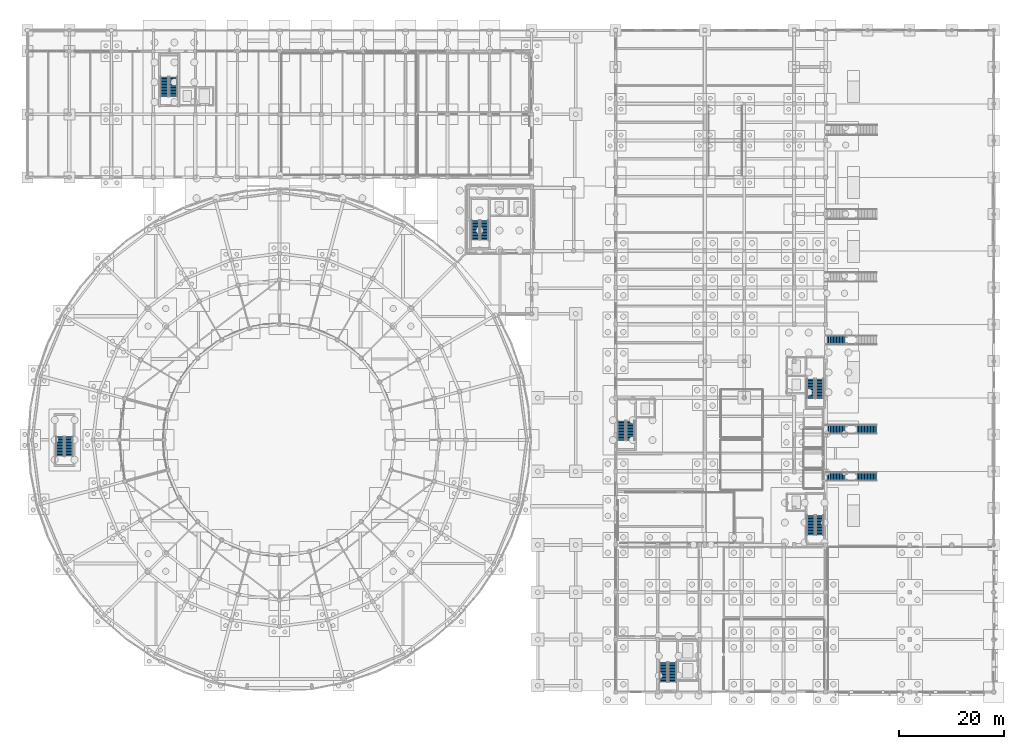
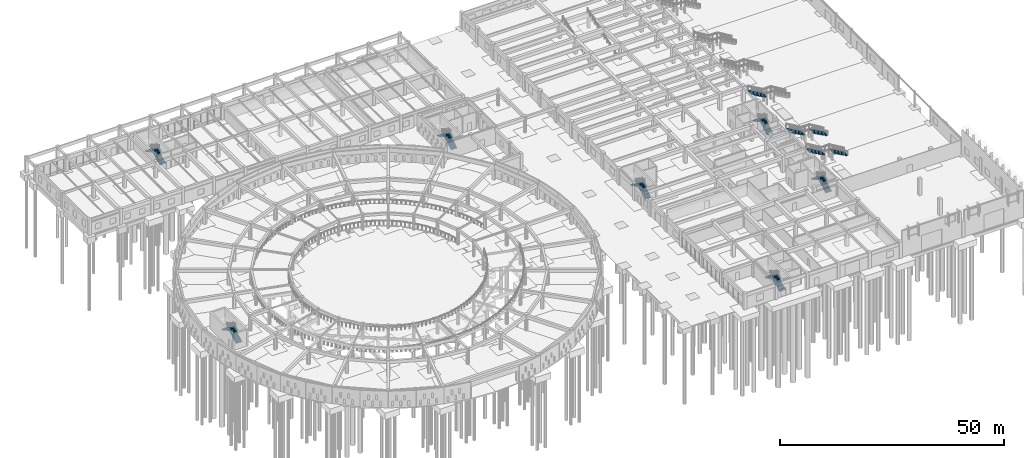
# One storey, part 64 of 84: 19 stair flights, 10 elements without a shape of their own.
"""IFC4 building model written with IfcOpenShell, lengths in metres."""

from ifc_helpers import new_model, si_unit, direction, frame, origin, place, context, subcontext, project, spatial, polyline, outline, extrude, material, type_object, element, aggregate, save


model = new_model("IFC4")

# Units and contexts
model_context = context("Model", 3, precision=1e-05, world=origin(), true_north=direction((0.0, 1.0)))
body_context = subcontext(model_context, "Body", "Model", "MODEL_VIEW")
ifc_project = project(units=[si_unit("LENGTHUNIT", "METRE"), si_unit("AREAUNIT", "SQUARE_METRE"), si_unit("VOLUMEUNIT", "CUBIC_METRE"), si_unit("PLANEANGLEUNIT", "RADIAN"), si_unit("MASSUNIT", "GRAM", prefix="KILO")], contexts=[model_context])

# Site, building, storey
site_placement = place(None, origin())
site = spatial("IfcSite", under=ifc_project, at=site_placement, CompositionType="ELEMENT")
building_placement = place(site_placement, origin())
building = spatial("IfcBuilding", under=site, at=building_placement, Name="Larkveld Mobility Hub", CompositionType="ELEMENT")
storey_placement = place(building_placement, origin())
storey = spatial("IfcBuildingStorey", under=building, at=storey_placement, Name="L00", CompositionType="ELEMENT", Elevation=0.0)

# Stair, stair flights
ifc_material_1 = material(Name="Concrete C40/50", Category="concrete")
stair_type_1 = type_object("IfcStairType", Name="ST-HT-01", PredefinedType="HALF_TURN_STAIR", material=ifc_material_1)
stair_1_placement = place(storey_placement, origin())
stair_1 = element("IfcStair", 1, at=stair_1_placement, inside=storey, type_object=stair_type_1, Name="L00 Protected Escape Stair ST1", PredefinedType="HALF_TURN_STAIR")
stair_flight_type_1 = type_object("IfcStairFlightType", Name="SF-HT-01", PredefinedType="STRAIGHT", material=ifc_material_1)
stair_flight_1_placement = place(storey_placement, frame((150.875, 29.89990234375, 0.0), z_axis=(0.0, 0.0, 1.0), x_axis=(0.0, 1.0, 0.0)))
stair_flight_1 = element("IfcStairFlight", 2, at=stair_flight_1_placement, type_object=stair_flight_type_1, Name="ST1 flight 1", NumberOfRisers=14, NumberOfTreads=13, PredefinedType="STRAIGHT", RiserHeight=0.160714286, TreadLength=0.285, context=body_context, shape_type="SweptSolid", body=[
    extrude(outline(polyline([(0.0, 0.0), (0.0, 0.16064453125), (0.284912109375, 0.16064453125), (0.284912109375, 0.321533203125), (0.570068359375, 0.321533203125), (0.570068359375, 0.482177734375), (0.85498046875, 0.482177734375), (0.85498046875, 0.642822265625), (1.139892578125, 0.642822265625), (1.139892578125, 0.803466796875), (1.425048828125, 0.803466796875), (1.425048828125, 0.96435546875), (1.7099609375, 0.96435546875), (1.7099609375, 1.125), (1.9951171875, 1.125), (1.9951171875, 1.28564453125), (2.280029296875, 1.28564453125), (2.280029296875, 1.446533203125), (2.56494140625, 1.446533203125), (2.56494140625, 1.607177734375), (2.85009765625, 1.607177734375), (2.85009765625, 1.767822265625), (3.135009765625, 1.767822265625), (3.135009765625, 1.928466796875), (3.419921875, 1.928466796875), (3.419921875, 2.08935546875), (3.705078125, 2.08935546875), (3.705078125, 2.25), (3.705078125, 1.91015625), (0.317626953125, 0.0), (0.0, 0.0)])), frame((0.0, 0.77490234375, 0.0), z_axis=(0.0, -1.0, 0.0), x_axis=(1.0, 0.0, 0.0)), (0.0, 0.0, 1.0), 1.550048828125),
])
stair_flight_2_placement = place(storey_placement, frame((149.175048828125, 33.60498046875, 2.25), z_axis=(0.0, 0.0, 1.0), x_axis=(0.0, -1.0, 0.0)))
stair_flight_2 = element("IfcStairFlight", 3, at=stair_flight_2_placement, type_object=stair_flight_type_1, Name="ST1 flight 2", NumberOfRisers=14, NumberOfTreads=13, PredefinedType="STRAIGHT", RiserHeight=0.160714286, TreadLength=0.285, context=body_context, shape_type="SweptSolid", body=[
    extrude(outline(polyline([(0.0, 0.0), (0.0, 0.16064453125), (0.284912109375, 0.16064453125), (0.284912109375, 0.321533203125), (0.570068359375, 0.321533203125), (0.570068359375, 0.482177734375), (0.85498046875, 0.482177734375), (0.85498046875, 0.642822265625), (1.139892578125, 0.642822265625), (1.139892578125, 0.803466796875), (1.425048828125, 0.803466796875), (1.425048828125, 0.96435546875), (1.7099609375, 0.96435546875), (1.7099609375, 1.125), (1.9951171875, 1.125), (1.9951171875, 1.28564453125), (2.280029296875, 1.28564453125), (2.280029296875, 1.446533203125), (2.56494140625, 1.446533203125), (2.56494140625, 1.607177734375), (2.85009765625, 1.607177734375), (2.85009765625, 1.767822265625), (3.135009765625, 1.767822265625), (3.135009765625, 1.928466796875), (3.419921875, 1.928466796875), (3.419921875, 2.08935546875), (3.705078125, 2.08935546875), (3.705078125, 2.25), (3.705078125, 1.91015625), (0.317626953125, 0.0), (0.0, 0.0)])), frame((0.0, 0.77490234375, 0.0), z_axis=(0.0, -1.0, 0.0), x_axis=(1.0, 0.0, 0.0)), (0.0, 0.0, 1.0), 1.550048828125),
])
aggregate(stair_1, [stair_flight_1, stair_flight_2])

stair_type_2 = type_object("IfcStairType", Name="ST-HT-02", PredefinedType="HALF_TURN_STAIR", material=ifc_material_1)
stair_2_placement = place(storey_placement, origin())
stair_2 = element("IfcStair", 4, at=stair_2_placement, inside=storey, type_object=stair_type_2, Name="L00 Protected Escape Stair ST2", PredefinedType="HALF_TURN_STAIR")
stair_flight_type_2 = type_object("IfcStairFlightType", Name="SF-HT-02", PredefinedType="STRAIGHT", material=ifc_material_1)
stair_flight_3_placement = place(storey_placement, frame((150.8701171875, 55.909912109375, 0.0), z_axis=(0.0, 0.0, 1.0), x_axis=(0.0, 1.0, 0.0)))
stair_flight_3 = element("IfcStairFlight", 5, at=stair_flight_3_placement, type_object=stair_flight_type_2, Name="ST2 flight 1", NumberOfRisers=14, NumberOfTreads=13, PredefinedType="STRAIGHT", RiserHeight=0.160714286, TreadLength=0.285, context=body_context, shape_type="SweptSolid", body=[
    extrude(outline(polyline([(0.0, 0.0), (0.0, 0.16064453125), (0.284912109375, 0.16064453125), (0.284912109375, 0.321533203125), (0.570068359375, 0.321533203125), (0.570068359375, 0.482177734375), (0.85498046875, 0.482177734375), (0.85498046875, 0.642822265625), (1.139892578125, 0.642822265625), (1.139892578125, 0.803466796875), (1.425048828125, 0.803466796875), (1.425048828125, 0.96435546875), (1.7099609375, 0.96435546875), (1.7099609375, 1.125), (1.9951171875, 1.125), (1.9951171875, 1.28564453125), (2.280029296875, 1.28564453125), (2.280029296875, 1.446533203125), (2.56494140625, 1.446533203125), (2.56494140625, 1.607177734375), (2.85009765625, 1.607177734375), (2.85009765625, 1.767822265625), (3.135009765625, 1.767822265625), (3.135009765625, 1.928466796875), (3.419921875, 1.928466796875), (3.419921875, 2.08935546875), (3.705078125, 2.08935546875), (3.705078125, 2.25), (3.705078125, 1.903076171875), (0.330078125, 0.0), (0.0, 0.0)])), frame((0.0, 0.780029296875, 0.0), z_axis=(0.0, -1.0, 0.0), x_axis=(1.0, 0.0, 0.0)), (0.0, 0.0, 1.0), 1.56005859375),
])
stair_flight_4_placement = place(storey_placement, frame((149.159912109375, 59.614990234375, 2.25), z_axis=(0.0, 0.0, 1.0), x_axis=(0.0, -1.0, 0.0)))
stair_flight_4 = element("IfcStairFlight", 6, at=stair_flight_4_placement, type_object=stair_flight_type_2, Name="ST2 flight 2", NumberOfRisers=14, NumberOfTreads=13, PredefinedType="STRAIGHT", RiserHeight=0.160714286, TreadLength=0.285, context=body_context, shape_type="SweptSolid", body=[
    extrude(outline(polyline([(0.0, 0.0), (0.0, 0.16064453125), (0.284912109375, 0.16064453125), (0.284912109375, 0.321533203125), (0.570068359375, 0.321533203125), (0.570068359375, 0.482177734375), (0.85498046875, 0.482177734375), (0.85498046875, 0.642822265625), (1.139892578125, 0.642822265625), (1.139892578125, 0.803466796875), (1.425048828125, 0.803466796875), (1.425048828125, 0.96435546875), (1.7099609375, 0.96435546875), (1.7099609375, 1.125), (1.9951171875, 1.125), (1.9951171875, 1.28564453125), (2.280029296875, 1.28564453125), (2.280029296875, 1.446533203125), (2.56494140625, 1.446533203125), (2.56494140625, 1.607177734375), (2.85009765625, 1.607177734375), (2.85009765625, 1.767822265625), (3.135009765625, 1.767822265625), (3.135009765625, 1.928466796875), (3.419921875, 1.928466796875), (3.419921875, 2.08935546875), (3.705078125, 2.08935546875), (3.705078125, 2.25), (3.705078125, 1.903076171875), (0.330078125, 0.0), (0.0, 0.0)])), frame((0.0, 0.780029296875, 0.0), z_axis=(0.0, -1.0, 0.0), x_axis=(1.0, 0.0, 0.0)), (0.0, 0.0, 1.0), 1.56005859375),
])
aggregate(stair_2, [stair_flight_3, stair_flight_4])

stair_type_3 = type_object("IfcStairType", Name="ST-HT-03", PredefinedType="HALF_TURN_STAIR", material=ifc_material_1)
stair_3_placement = place(storey_placement, origin())
stair_3 = element("IfcStair", 7, at=stair_3_placement, inside=storey, type_object=stair_type_3, Name="L00 Protected Escape Stair ST3", PredefinedType="HALF_TURN_STAIR")
stair_flight_type_3 = type_object("IfcStairFlightType", Name="SF-HT-03", PredefinedType="STRAIGHT", material=ifc_material_1)
stair_flight_5_placement = place(storey_placement, frame((114.85498046875, 47.919921875, 0.0), z_axis=(0.0, 0.0, 1.0), x_axis=(0.0, 1.0, 0.0)))
stair_flight_5 = element("IfcStairFlight", 8, at=stair_flight_5_placement, type_object=stair_flight_type_3, Name="ST3 flight 1", NumberOfRisers=14, NumberOfTreads=13, PredefinedType="STRAIGHT", RiserHeight=0.160714286, TreadLength=0.285, context=body_context, shape_type="SweptSolid", body=[
    extrude(outline(polyline([(0.0, 0.0), (0.0, 0.16064453125), (0.284912109375, 0.16064453125), (0.284912109375, 0.321533203125), (0.570068359375, 0.321533203125), (0.570068359375, 0.482177734375), (0.85498046875, 0.482177734375), (0.85498046875, 0.642822265625), (1.139892578125, 0.642822265625), (1.139892578125, 0.803466796875), (1.425048828125, 0.803466796875), (1.425048828125, 0.96435546875), (1.7099609375, 0.96435546875), (1.7099609375, 1.125), (1.9951171875, 1.125), (1.9951171875, 1.28564453125), (2.280029296875, 1.28564453125), (2.280029296875, 1.446533203125), (2.56494140625, 1.446533203125), (2.56494140625, 1.607177734375), (2.85009765625, 1.607177734375), (2.85009765625, 1.767822265625), (3.135009765625, 1.767822265625), (3.135009765625, 1.928466796875), (3.419921875, 1.928466796875), (3.419921875, 2.08935546875), (3.705078125, 2.08935546875), (3.705078125, 2.25), (3.705078125, 1.896484375), (0.342041015625, 0.0), (0.0, 0.0)])), frame((0.0, 0.78515625, 0.0), z_axis=(0.0, -1.0, 0.0), x_axis=(1.0, 0.0, 0.0)), (0.0, 0.0, 1.0), 1.570068359375),
])
stair_flight_6_placement = place(storey_placement, frame((113.135009765625, 51.625, 2.25), z_axis=(0.0, 0.0, 1.0), x_axis=(0.0, -1.0, 0.0)))
stair_flight_6 = element("IfcStairFlight", 9, at=stair_flight_6_placement, type_object=stair_flight_type_3, Name="ST3 flight 2", NumberOfRisers=14, NumberOfTreads=13, PredefinedType="STRAIGHT", RiserHeight=0.160714286, TreadLength=0.285, context=body_context, shape_type="SweptSolid", body=[
    extrude(outline(polyline([(0.0, 0.0), (0.0, 0.16064453125), (0.284912109375, 0.16064453125), (0.284912109375, 0.321533203125), (0.570068359375, 0.321533203125), (0.570068359375, 0.482177734375), (0.85498046875, 0.482177734375), (0.85498046875, 0.642822265625), (1.139892578125, 0.642822265625), (1.139892578125, 0.803466796875), (1.425048828125, 0.803466796875), (1.425048828125, 0.96435546875), (1.7099609375, 0.96435546875), (1.7099609375, 1.125), (1.9951171875, 1.125), (1.9951171875, 1.28564453125), (2.280029296875, 1.28564453125), (2.280029296875, 1.446533203125), (2.56494140625, 1.446533203125), (2.56494140625, 1.607177734375), (2.85009765625, 1.607177734375), (2.85009765625, 1.767822265625), (3.135009765625, 1.767822265625), (3.135009765625, 1.928466796875), (3.419921875, 1.928466796875), (3.419921875, 2.08935546875), (3.705078125, 2.08935546875), (3.705078125, 2.25), (3.705078125, 1.896484375), (0.342041015625, 0.0), (0.0, 0.0)])), frame((0.0, 0.78515625, 0.0), z_axis=(0.0, -1.0, 0.0), x_axis=(1.0, 0.0, 0.0)), (0.0, 0.0, 1.0), 1.570068359375),
])
aggregate(stair_3, [stair_flight_5, stair_flight_6])

stair_type_4 = type_object("IfcStairType", Name="ST-HT-04", PredefinedType="HALF_TURN_STAIR", material=ifc_material_1)
stair_4_placement = place(storey_placement, origin())
stair_4 = element("IfcStair", 10, at=stair_4_placement, inside=storey, type_object=stair_type_4, Name="L00 Protected Escape Stair ST4", PredefinedType="HALF_TURN_STAIR")
stair_flight_type_4 = type_object("IfcStairFlightType", Name="SF-HT-04", PredefinedType="STRAIGHT", material=ifc_material_1)
stair_flight_7_placement = place(storey_placement, frame((122.824951171875, 1.89990234375, 0.0), z_axis=(0.0, 0.0, 1.0), x_axis=(0.0, 1.0, 0.0)))
stair_flight_7 = element("IfcStairFlight", 11, at=stair_flight_7_placement, type_object=stair_flight_type_4, Name="ST4 flight 1", NumberOfRisers=14, NumberOfTreads=13, PredefinedType="STRAIGHT", RiserHeight=0.160714286, TreadLength=0.285, context=body_context, shape_type="SweptSolid", body=[
    extrude(outline(polyline([(0.0, 0.0), (0.0, 0.16064453125), (0.284912109375, 0.16064453125), (0.284912109375, 0.321533203125), (0.570068359375, 0.321533203125), (0.570068359375, 0.482177734375), (0.85498046875, 0.482177734375), (0.85498046875, 0.642822265625), (1.139892578125, 0.642822265625), (1.139892578125, 0.803466796875), (1.425048828125, 0.803466796875), (1.425048828125, 0.96435546875), (1.7099609375, 0.96435546875), (1.7099609375, 1.125), (1.9951171875, 1.125), (1.9951171875, 1.28564453125), (2.280029296875, 1.28564453125), (2.280029296875, 1.446533203125), (2.56494140625, 1.446533203125), (2.56494140625, 1.607177734375), (2.85009765625, 1.607177734375), (2.85009765625, 1.767822265625), (3.135009765625, 1.767822265625), (3.135009765625, 1.928466796875), (3.419921875, 1.928466796875), (3.419921875, 2.08935546875), (3.705078125, 2.08935546875), (3.705078125, 2.25), (3.705078125, 1.889404296875), (0.3544921875, 0.0), (0.0, 0.0)])), frame((0.0, 0.77490234375, 0.0), z_axis=(0.0, -1.0, 0.0), x_axis=(1.0, 0.0, 0.0)), (0.0, 0.0, 1.0), 1.550048828125),
])
stair_flight_8_placement = place(storey_placement, frame((121.125, 5.60498046875, 2.25), z_axis=(0.0, 0.0, 1.0), x_axis=(0.0, -1.0, 0.0)))
stair_flight_8 = element("IfcStairFlight", 12, at=stair_flight_8_placement, type_object=stair_flight_type_4, Name="ST4 flight 2", NumberOfRisers=14, NumberOfTreads=13, PredefinedType="STRAIGHT", RiserHeight=0.160714286, TreadLength=0.285, context=body_context, shape_type="SweptSolid", body=[
    extrude(outline(polyline([(0.0, 0.0), (0.0, 0.16064453125), (0.284912109375, 0.16064453125), (0.284912109375, 0.321533203125), (0.570068359375, 0.321533203125), (0.570068359375, 0.482177734375), (0.85498046875, 0.482177734375), (0.85498046875, 0.642822265625), (1.139892578125, 0.642822265625), (1.139892578125, 0.803466796875), (1.425048828125, 0.803466796875), (1.425048828125, 0.96435546875), (1.7099609375, 0.96435546875), (1.7099609375, 1.125), (1.9951171875, 1.125), (1.9951171875, 1.28564453125), (2.280029296875, 1.28564453125), (2.280029296875, 1.446533203125), (2.56494140625, 1.446533203125), (2.56494140625, 1.607177734375), (2.85009765625, 1.607177734375), (2.85009765625, 1.767822265625), (3.135009765625, 1.767822265625), (3.135009765625, 1.928466796875), (3.419921875, 1.928466796875), (3.419921875, 2.08935546875), (3.705078125, 2.08935546875), (3.705078125, 2.25), (3.705078125, 1.889404296875), (0.3544921875, 0.0), (0.0, 0.0)])), frame((0.0, 0.77490234375, 0.0), z_axis=(0.0, -1.0, 0.0), x_axis=(1.0, 0.0, 0.0)), (0.0, 0.0, 1.0), 1.550048828125),
])
aggregate(stair_4, [stair_flight_7, stair_flight_8])

stair_type_5 = type_object("IfcStairType", Name="ST-HT-05", PredefinedType="HALF_TURN_STAIR", material=ifc_material_1)
stair_5_placement = place(storey_placement, origin())
stair_5 = element("IfcStair", 13, at=stair_5_placement, inside=storey, type_object=stair_type_5, Name="L00 Protected Escape Stair ST5", PredefinedType="HALF_TURN_STAIR")
stair_flight_type_5 = type_object("IfcStairFlightType", Name="SF-HT-05", PredefinedType="STRAIGHT", material=ifc_material_1)
stair_flight_9_placement = place(storey_placement, frame((87.02490234375, 86.10009765625, 0.0), z_axis=(0.0, 0.0, 1.0), x_axis=(0.0, 1.0, 0.0)))
stair_flight_9 = element("IfcStairFlight", 14, at=stair_flight_9_placement, type_object=stair_flight_type_5, Name="ST5 flight 1", NumberOfRisers=14, NumberOfTreads=13, PredefinedType="STRAIGHT", RiserHeight=0.160714286, TreadLength=0.285, context=body_context, shape_type="SweptSolid", body=[
    extrude(outline(polyline([(0.0, 0.0), (0.0, 0.16064453125), (0.284912109375, 0.16064453125), (0.284912109375, 0.321533203125), (0.570068359375, 0.321533203125), (0.570068359375, 0.482177734375), (0.85498046875, 0.482177734375), (0.85498046875, 0.642822265625), (1.139892578125, 0.642822265625), (1.139892578125, 0.803466796875), (1.425048828125, 0.803466796875), (1.425048828125, 0.96435546875), (1.7099609375, 0.96435546875), (1.7099609375, 1.125), (1.9951171875, 1.125), (1.9951171875, 1.28564453125), (2.280029296875, 1.28564453125), (2.280029296875, 1.446533203125), (2.56494140625, 1.446533203125), (2.56494140625, 1.607177734375), (2.85009765625, 1.607177734375), (2.85009765625, 1.767822265625), (3.135009765625, 1.767822265625), (3.135009765625, 1.928466796875), (3.419921875, 1.928466796875), (3.419921875, 2.08935546875), (3.705078125, 2.08935546875), (3.705078125, 2.25), (3.705078125, 1.8828125), (0.3662109375, 0.0), (0.0, 0.0)])), frame((0.0, 0.77490234375, 0.0), z_axis=(0.0, -1.0, 0.0), x_axis=(1.0, 0.0, 0.0)), (0.0, 0.0, 1.0), 1.550048828125),
])
stair_flight_10_placement = place(storey_placement, frame((85.324951171875, 89.804931640625, 2.25), z_axis=(0.0, 0.0, 1.0), x_axis=(0.0, -1.0, 0.0)))
stair_flight_10 = element("IfcStairFlight", 15, at=stair_flight_10_placement, type_object=stair_flight_type_5, Name="ST5 flight 2", NumberOfRisers=14, NumberOfTreads=13, PredefinedType="STRAIGHT", RiserHeight=0.160714286, TreadLength=0.285, context=body_context, shape_type="SweptSolid", body=[
    extrude(outline(polyline([(0.0, 0.0), (0.0, 0.16064453125), (0.284912109375, 0.16064453125), (0.284912109375, 0.321533203125), (0.570068359375, 0.321533203125), (0.570068359375, 0.482177734375), (0.85498046875, 0.482177734375), (0.85498046875, 0.642822265625), (1.139892578125, 0.642822265625), (1.139892578125, 0.803466796875), (1.425048828125, 0.803466796875), (1.425048828125, 0.96435546875), (1.7099609375, 0.96435546875), (1.7099609375, 1.125), (1.9951171875, 1.125), (1.9951171875, 1.28564453125), (2.280029296875, 1.28564453125), (2.280029296875, 1.446533203125), (2.56494140625, 1.446533203125), (2.56494140625, 1.607177734375), (2.85009765625, 1.607177734375), (2.85009765625, 1.767822265625), (3.135009765625, 1.767822265625), (3.135009765625, 1.928466796875), (3.419921875, 1.928466796875), (3.419921875, 2.08935546875), (3.705078125, 2.08935546875), (3.705078125, 2.25), (3.705078125, 1.8828125), (0.3662109375, 0.0), (0.0, 0.0)])), frame((0.0, 0.77490234375, 0.0), z_axis=(0.0, -1.0, 0.0), x_axis=(1.0, 0.0, 0.0)), (0.0, 0.0, 1.0), 1.550048828125),
])
aggregate(stair_5, [stair_flight_9, stair_flight_10])

stair_type_6 = type_object("IfcStairType", Name="ST-HT-06", PredefinedType="HALF_TURN_STAIR", material=ifc_material_1)
stair_6_placement = place(storey_placement, origin())
stair_6 = element("IfcStair", 16, at=stair_6_placement, inside=storey, type_object=stair_type_6, Name="L00 Protected Escape Stair ST6", PredefinedType="HALF_TURN_STAIR")
stair_flight_type_6 = type_object("IfcStairFlightType", Name="SF-HT-06", PredefinedType="STRAIGHT", material=ifc_material_1)
stair_flight_11_placement = place(storey_placement, frame((27.824951171875, 113.39990234375, 0.0), z_axis=(0.0, 0.0, 1.0), x_axis=(0.0, 1.0, 0.0)))
stair_flight_11 = element("IfcStairFlight", 17, at=stair_flight_11_placement, type_object=stair_flight_type_6, Name="ST6 flight 1", NumberOfRisers=14, NumberOfTreads=13, PredefinedType="STRAIGHT", RiserHeight=0.160714286, TreadLength=0.285, context=body_context, shape_type="SweptSolid", body=[
    extrude(outline(polyline([(0.0, 0.0), (0.0, 0.16064453125), (0.284912109375, 0.16064453125), (0.284912109375, 0.321533203125), (0.570068359375, 0.321533203125), (0.570068359375, 0.482177734375), (0.85498046875, 0.482177734375), (0.85498046875, 0.642822265625), (1.139892578125, 0.642822265625), (1.139892578125, 0.803466796875), (1.425048828125, 0.803466796875), (1.425048828125, 0.96435546875), (1.7099609375, 0.96435546875), (1.7099609375, 1.125), (1.9951171875, 1.125), (1.9951171875, 1.28564453125), (2.280029296875, 1.28564453125), (2.280029296875, 1.446533203125), (2.56494140625, 1.446533203125), (2.56494140625, 1.607177734375), (2.85009765625, 1.607177734375), (2.85009765625, 1.767822265625), (3.135009765625, 1.767822265625), (3.135009765625, 1.928466796875), (3.419921875, 1.928466796875), (3.419921875, 2.08935546875), (3.705078125, 2.08935546875), (3.705078125, 2.25), (3.705078125, 1.875732421875), (0.378662109375, 0.0), (0.0, 0.0)])), frame((0.0, 0.77490234375, 0.0), z_axis=(0.0, -1.0, 0.0), x_axis=(1.0, 0.0, 0.0)), (0.0, 0.0, 1.0), 1.550048828125),
])
stair_flight_12_placement = place(storey_placement, frame((26.125, 117.10498046875, 2.25), z_axis=(0.0, 0.0, 1.0), x_axis=(0.0, -1.0, 0.0)))
stair_flight_12 = element("IfcStairFlight", 18, at=stair_flight_12_placement, type_object=stair_flight_type_6, Name="ST6 flight 2", NumberOfRisers=14, NumberOfTreads=13, PredefinedType="STRAIGHT", RiserHeight=0.160714286, TreadLength=0.285, context=body_context, shape_type="SweptSolid", body=[
    extrude(outline(polyline([(0.0, 0.0), (0.0, 0.16064453125), (0.284912109375, 0.16064453125), (0.284912109375, 0.321533203125), (0.570068359375, 0.321533203125), (0.570068359375, 0.482177734375), (0.85498046875, 0.482177734375), (0.85498046875, 0.642822265625), (1.139892578125, 0.642822265625), (1.139892578125, 0.803466796875), (1.425048828125, 0.803466796875), (1.425048828125, 0.96435546875), (1.7099609375, 0.96435546875), (1.7099609375, 1.125), (1.9951171875, 1.125), (1.9951171875, 1.28564453125), (2.280029296875, 1.28564453125), (2.280029296875, 1.446533203125), (2.56494140625, 1.446533203125), (2.56494140625, 1.607177734375), (2.85009765625, 1.607177734375), (2.85009765625, 1.767822265625), (3.135009765625, 1.767822265625), (3.135009765625, 1.928466796875), (3.419921875, 1.928466796875), (3.419921875, 2.08935546875), (3.705078125, 2.08935546875), (3.705078125, 2.25), (3.705078125, 1.875732421875), (0.378662109375, 0.0), (0.0, 0.0)])), frame((0.0, 0.77490234375, 0.0), z_axis=(0.0, -1.0, 0.0), x_axis=(1.0, 0.0, 0.0)), (0.0, 0.0, 1.0), 1.550048828125),
])
aggregate(stair_6, [stair_flight_11, stair_flight_12])

stair_type_7 = type_object("IfcStairType", Name="ST-HT-07", PredefinedType="HALF_TURN_STAIR", material=ifc_material_1)
stair_7_placement = place(storey_placement, origin())
stair_7 = element("IfcStair", 19, at=stair_7_placement, inside=storey, type_object=stair_type_7, Name="L00 Protected Escape Stair ST7", PredefinedType="HALF_TURN_STAIR")
stair_flight_type_7 = type_object("IfcStairFlightType", Name="SF-HT-07", PredefinedType="STRAIGHT", material=ifc_material_1)
stair_flight_13_placement = place(storey_placement, frame((7.925048828125, 44.89990234375, 0.0), z_axis=(0.0, 0.0, 1.0), x_axis=(0.0, 1.0, 0.0)))
stair_flight_13 = element("IfcStairFlight", 20, at=stair_flight_13_placement, type_object=stair_flight_type_7, Name="ST7 flight 1", NumberOfRisers=14, NumberOfTreads=13, PredefinedType="STRAIGHT", RiserHeight=0.160714286, TreadLength=0.285, context=body_context, shape_type="SweptSolid", body=[
    extrude(outline(polyline([(0.0, 0.0), (0.0, 0.16064453125), (0.284912109375, 0.16064453125), (0.284912109375, 0.321533203125), (0.570068359375, 0.321533203125), (0.570068359375, 0.482177734375), (0.85498046875, 0.482177734375), (0.85498046875, 0.642822265625), (1.139892578125, 0.642822265625), (1.139892578125, 0.803466796875), (1.425048828125, 0.803466796875), (1.425048828125, 0.96435546875), (1.7099609375, 0.96435546875), (1.7099609375, 1.125), (1.9951171875, 1.125), (1.9951171875, 1.28564453125), (2.280029296875, 1.28564453125), (2.280029296875, 1.446533203125), (2.56494140625, 1.446533203125), (2.56494140625, 1.607177734375), (2.85009765625, 1.607177734375), (2.85009765625, 1.767822265625), (3.135009765625, 1.767822265625), (3.135009765625, 1.928466796875), (3.419921875, 1.928466796875), (3.419921875, 2.08935546875), (3.705078125, 2.08935546875), (3.705078125, 2.25), (3.705078125, 1.868896484375), (0.390625, 0.0), (0.0, 0.0)])), frame((0.0, 0.77490234375, 0.0), z_axis=(0.0, -1.0, 0.0), x_axis=(1.0, 0.0, 0.0)), (0.0, 0.0, 1.0), 1.550048828125),
])
stair_flight_14_placement = place(storey_placement, frame((6.22509765625, 48.60498046875, 2.25), z_axis=(0.0, 0.0, 1.0), x_axis=(0.0, -1.0, 0.0)))
stair_flight_14 = element("IfcStairFlight", 21, at=stair_flight_14_placement, type_object=stair_flight_type_7, Name="ST7 flight 2", NumberOfRisers=14, NumberOfTreads=13, PredefinedType="STRAIGHT", RiserHeight=0.160714286, TreadLength=0.285, context=body_context, shape_type="SweptSolid", body=[
    extrude(outline(polyline([(0.0, 0.0), (0.0, 0.16064453125), (0.284912109375, 0.16064453125), (0.284912109375, 0.321533203125), (0.570068359375, 0.321533203125), (0.570068359375, 0.482177734375), (0.85498046875, 0.482177734375), (0.85498046875, 0.642822265625), (1.139892578125, 0.642822265625), (1.139892578125, 0.803466796875), (1.425048828125, 0.803466796875), (1.425048828125, 0.96435546875), (1.7099609375, 0.96435546875), (1.7099609375, 1.125), (1.9951171875, 1.125), (1.9951171875, 1.28564453125), (2.280029296875, 1.28564453125), (2.280029296875, 1.446533203125), (2.56494140625, 1.446533203125), (2.56494140625, 1.607177734375), (2.85009765625, 1.607177734375), (2.85009765625, 1.767822265625), (3.135009765625, 1.767822265625), (3.135009765625, 1.928466796875), (3.419921875, 1.928466796875), (3.419921875, 2.08935546875), (3.705078125, 2.08935546875), (3.705078125, 2.25), (3.705078125, 1.868896484375), (0.390625, 0.0), (0.0, 0.0)])), frame((0.0, 0.77490234375, 0.0), z_axis=(0.0, -1.0, 0.0), x_axis=(1.0, 0.0, 0.0)), (0.0, 0.0, 1.0), 1.550048828125),
])
aggregate(stair_7, [stair_flight_13, stair_flight_14])

ifc_material_2 = material(Name="Precast concrete C50/60", Category="concrete")
stair_type_8 = type_object("IfcStairType", Name="ST-SR-01", PredefinedType="STRAIGHT_RUN_STAIR", material=ifc_material_2)
stair_8_placement = place(storey_placement, origin())
stair_8 = element("IfcStair", 22, at=stair_8_placement, inside=storey, type_object=stair_type_8, Name="South Concourse Mezzanine Straight Stair FS1", PredefinedType="STRAIGHT_RUN_STAIR")
stair_flight_type_8 = type_object("IfcStairFlightType", Name="SF-SR-01", PredefinedType="STRAIGHT", material=ifc_material_2)
stair_flight_15_placement = place(storey_placement, frame((161.68994140625, 41.0, 0.0), z_axis=(0.0, 0.0, 1.0), x_axis=(-1.0, 0.0, 0.0)))
stair_flight_15 = element("IfcStairFlight", 23, at=stair_flight_15_placement, type_object=stair_flight_type_8, Name="FS1 flight 1", NumberOfRisers=14, NumberOfTreads=13, PredefinedType="STRAIGHT", RiserHeight=0.160714286, TreadLength=0.29, context=body_context, shape_type="SweptSolid", body=[
    extrude(outline(polyline([(0.0, 0.0), (0.0, 0.16064453125), (0.2900390625, 0.16064453125), (0.2900390625, 0.321533203125), (0.580078125, 0.321533203125), (0.580078125, 0.482177734375), (0.8701171875, 0.482177734375), (0.8701171875, 0.642822265625), (1.159912109375, 0.642822265625), (1.159912109375, 0.803466796875), (1.449951171875, 0.803466796875), (1.449951171875, 0.96435546875), (1.739990234375, 0.96435546875), (1.739990234375, 1.125), (2.030029296875, 1.125), (2.030029296875, 1.28564453125), (2.320068359375, 1.28564453125), (2.320068359375, 1.446533203125), (2.610107421875, 1.446533203125), (2.610107421875, 1.607177734375), (2.89990234375, 1.607177734375), (2.89990234375, 1.767822265625), (3.18994140625, 1.767822265625), (3.18994140625, 1.928466796875), (3.47998046875, 1.928466796875), (3.47998046875, 2.08935546875), (3.77001953125, 2.08935546875), (3.77001953125, 2.25), (3.77001953125, 1.883544921875), (0.37109375, 0.0), (0.0, 0.0)])), frame((0.0, 0.85498046875, 0.0), z_axis=(0.0, -1.0, 0.0), x_axis=(1.0, 0.0, 0.0)), (0.0, 0.0, 1.0), 1.7099609375),
])
stair_flight_16_placement = place(storey_placement, frame((155.77001953125, 41.0, 2.25), z_axis=(0.0, 0.0, 1.0), x_axis=(-1.0, 0.0, 0.0)))
stair_flight_16 = element("IfcStairFlight", 24, at=stair_flight_16_placement, type_object=stair_flight_type_8, Name="FS1 flight 2", NumberOfRisers=14, NumberOfTreads=13, PredefinedType="STRAIGHT", RiserHeight=0.160714286, TreadLength=0.29, context=body_context, shape_type="SweptSolid", body=[
    extrude(outline(polyline([(0.0, 0.0), (0.0, 0.16064453125), (0.2900390625, 0.16064453125), (0.2900390625, 0.321533203125), (0.580078125, 0.321533203125), (0.580078125, 0.482177734375), (0.8701171875, 0.482177734375), (0.8701171875, 0.642822265625), (1.159912109375, 0.642822265625), (1.159912109375, 0.803466796875), (1.449951171875, 0.803466796875), (1.449951171875, 0.96435546875), (1.739990234375, 0.96435546875), (1.739990234375, 1.125), (2.030029296875, 1.125), (2.030029296875, 1.28564453125), (2.320068359375, 1.28564453125), (2.320068359375, 1.446533203125), (2.610107421875, 1.446533203125), (2.610107421875, 1.607177734375), (2.89990234375, 1.607177734375), (2.89990234375, 1.767822265625), (3.18994140625, 1.767822265625), (3.18994140625, 1.928466796875), (3.47998046875, 1.928466796875), (3.47998046875, 2.08935546875), (3.77001953125, 2.08935546875), (3.77001953125, 2.25), (3.77001953125, 1.883544921875), (0.37109375, 0.0), (0.0, 0.0)])), frame((0.0, 0.85498046875, 0.0), z_axis=(0.0, -1.0, 0.0), x_axis=(1.0, 0.0, 0.0)), (0.0, 0.0, 1.0), 1.7099609375),
])
aggregate(stair_8, [stair_flight_15, stair_flight_16])

stair_type_9 = type_object("IfcStairType", Name="ST-SR-02", PredefinedType="STRAIGHT_RUN_STAIR", material=ifc_material_2)
stair_9_placement = place(storey_placement, origin())
stair_9 = element("IfcStair", 25, at=stair_9_placement, inside=storey, type_object=stair_type_9, Name="Ticketing Concourse Straight Stair FS2", PredefinedType="STRAIGHT_RUN_STAIR")
stair_flight_type_9 = type_object("IfcStairFlightType", Name="SF-SR-02", PredefinedType="STRAIGHT", material=ifc_material_2)
stair_flight_17_placement = place(storey_placement, frame((161.68994140625, 50.0, 0.0), z_axis=(0.0, 0.0, 1.0), x_axis=(-1.0, 0.0, 0.0)))
stair_flight_17 = element("IfcStairFlight", 26, at=stair_flight_17_placement, type_object=stair_flight_type_9, Name="FS2 flight 1", NumberOfRisers=14, NumberOfTreads=13, PredefinedType="STRAIGHT", RiserHeight=0.160714286, TreadLength=0.29, context=body_context, shape_type="SweptSolid", body=[
    extrude(outline(polyline([(0.0, 0.0), (0.0, 0.16064453125), (0.2900390625, 0.16064453125), (0.2900390625, 0.321533203125), (0.580078125, 0.321533203125), (0.580078125, 0.482177734375), (0.8701171875, 0.482177734375), (0.8701171875, 0.642822265625), (1.159912109375, 0.642822265625), (1.159912109375, 0.803466796875), (1.449951171875, 0.803466796875), (1.449951171875, 0.96435546875), (1.739990234375, 0.96435546875), (1.739990234375, 1.125), (2.030029296875, 1.125), (2.030029296875, 1.28564453125), (2.320068359375, 1.28564453125), (2.320068359375, 1.446533203125), (2.610107421875, 1.446533203125), (2.610107421875, 1.607177734375), (2.89990234375, 1.607177734375), (2.89990234375, 1.767822265625), (3.18994140625, 1.767822265625), (3.18994140625, 1.928466796875), (3.47998046875, 1.928466796875), (3.47998046875, 2.08935546875), (3.77001953125, 2.08935546875), (3.77001953125, 2.25), (3.77001953125, 1.877685546875), (0.3818359375, 0.0), (0.0, 0.0)])), frame((0.0, 0.885009765625, 0.0), z_axis=(0.0, -1.0, 0.0), x_axis=(1.0, 0.0, 0.0)), (0.0, 0.0, 1.0), 1.77001953125),
])
stair_flight_18_placement = place(storey_placement, frame((155.77001953125, 50.0, 2.25), z_axis=(0.0, 0.0, 1.0), x_axis=(-1.0, 0.0, 0.0)))
stair_flight_18 = element("IfcStairFlight", 27, at=stair_flight_18_placement, type_object=stair_flight_type_9, Name="FS2 flight 2", NumberOfRisers=14, NumberOfTreads=13, PredefinedType="STRAIGHT", RiserHeight=0.160714286, TreadLength=0.29, context=body_context, shape_type="SweptSolid", body=[
    extrude(outline(polyline([(0.0, 0.0), (0.0, 0.16064453125), (0.2900390625, 0.16064453125), (0.2900390625, 0.321533203125), (0.580078125, 0.321533203125), (0.580078125, 0.482177734375), (0.8701171875, 0.482177734375), (0.8701171875, 0.642822265625), (1.159912109375, 0.642822265625), (1.159912109375, 0.803466796875), (1.449951171875, 0.803466796875), (1.449951171875, 0.96435546875), (1.739990234375, 0.96435546875), (1.739990234375, 1.125), (2.030029296875, 1.125), (2.030029296875, 1.28564453125), (2.320068359375, 1.28564453125), (2.320068359375, 1.446533203125), (2.610107421875, 1.446533203125), (2.610107421875, 1.607177734375), (2.89990234375, 1.607177734375), (2.89990234375, 1.767822265625), (3.18994140625, 1.767822265625), (3.18994140625, 1.928466796875), (3.47998046875, 1.928466796875), (3.47998046875, 2.08935546875), (3.77001953125, 2.08935546875), (3.77001953125, 2.25), (3.77001953125, 1.877685546875), (0.3818359375, 0.0), (0.0, 0.0)])), frame((0.0, 0.885009765625, 0.0), z_axis=(0.0, -1.0, 0.0), x_axis=(1.0, 0.0, 0.0)), (0.0, 0.0, 1.0), 1.77001953125),
])
aggregate(stair_9, [stair_flight_17, stair_flight_18])

# Stair, stair flight
stair_type_10 = type_object("IfcStairType", Name="ST-SR-03", PredefinedType="STRAIGHT_RUN_STAIR", material=ifc_material_2)
stair_10_placement = place(storey_placement, origin())
stair_10 = element("IfcStair", 28, at=stair_10_placement, inside=storey, type_object=stair_type_10, Name="Central Bus Hall Straight Stair FS3", PredefinedType="STRAIGHT_RUN_STAIR")
stair_flight_type_10 = type_object("IfcStairFlightType", Name="SF-SR-03", PredefinedType="STRAIGHT", material=ifc_material_2)
stair_flight_19_placement = place(storey_placement, frame((155.77001953125, 67.0, 2.25), z_axis=(0.0, 0.0, 1.0), x_axis=(-1.0, 0.0, 0.0)))
stair_flight_19 = element("IfcStairFlight", 29, at=stair_flight_19_placement, type_object=stair_flight_type_10, Name="FS3 flight 2", NumberOfRisers=14, NumberOfTreads=13, PredefinedType="STRAIGHT", RiserHeight=0.160714286, TreadLength=0.29, context=body_context, shape_type="SweptSolid", body=[
    extrude(outline(polyline([(0.0, 0.0), (0.0, 0.16064453125), (0.2900390625, 0.16064453125), (0.2900390625, 0.321533203125), (0.580078125, 0.321533203125), (0.580078125, 0.482177734375), (0.8701171875, 0.482177734375), (0.8701171875, 0.642822265625), (1.159912109375, 0.642822265625), (1.159912109375, 0.803466796875), (1.449951171875, 0.803466796875), (1.449951171875, 0.96435546875), (1.739990234375, 0.96435546875), (1.739990234375, 1.125), (2.030029296875, 1.125), (2.030029296875, 1.28564453125), (2.320068359375, 1.28564453125), (2.320068359375, 1.446533203125), (2.610107421875, 1.446533203125), (2.610107421875, 1.607177734375), (2.89990234375, 1.607177734375), (2.89990234375, 1.767822265625), (3.18994140625, 1.767822265625), (3.18994140625, 1.928466796875), (3.47998046875, 1.928466796875), (3.47998046875, 2.08935546875), (3.77001953125, 2.08935546875), (3.77001953125, 2.25), (3.77001953125, 1.8720703125), (0.391845703125, 0.0), (0.0, 0.0)])), frame((0.0, 0.9150390625, 0.0), z_axis=(0.0, -1.0, 0.0), x_axis=(1.0, 0.0, 0.0)), (0.0, 0.0, 1.0), 1.830078125),
])
aggregate(stair_10, [stair_flight_19])

save(model, "model.ifc")
